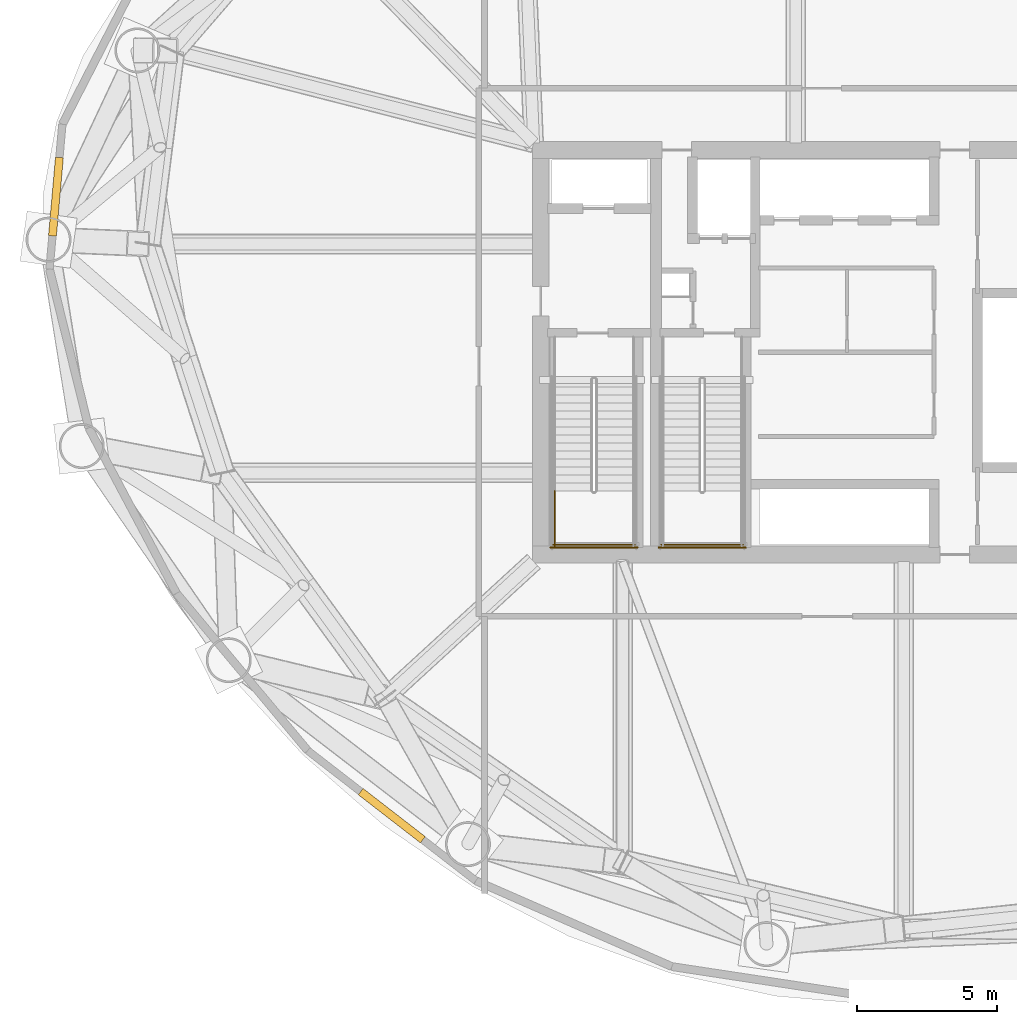
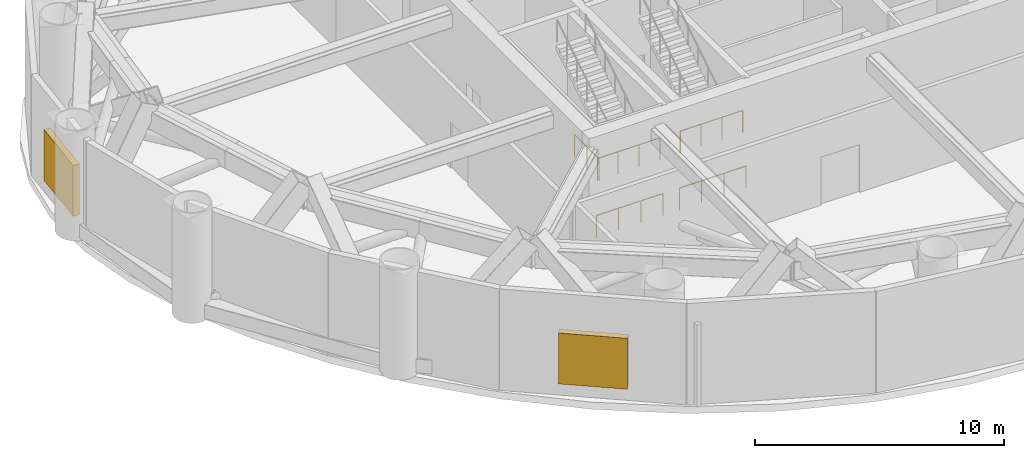
# One storey, part 10 of 13: 5 railings, 2 shading devices.
"""IFC4 building model written with IfcOpenShell, lengths in metres."""

from ifc_helpers import new_model, si_unit, direction, frame, origin, origin_2d, place, context, subcontext, project, spatial, rectangle, circle, extrude, material, type_object, element, save


model = new_model("IFC4")

# Units and contexts
model_context = context("Model", 3, precision=1e-05, world=origin(), true_north=direction((0.0, 1.0)))
body_context = subcontext(model_context, "Body", "Model", "MODEL_VIEW")
ifc_project = project(units=[si_unit("LENGTHUNIT", "METRE"), si_unit("AREAUNIT", "SQUARE_METRE"), si_unit("VOLUMEUNIT", "CUBIC_METRE"), si_unit("PLANEANGLEUNIT", "RADIAN"), si_unit("MASSUNIT", "GRAM", prefix="KILO")], contexts=[model_context])

# Site, building, storey
site_placement = place(None, origin())
site = spatial("IfcSite", under=ifc_project, at=site_placement, CompositionType="ELEMENT")
building_placement = place(site_placement, origin())
building = spatial("IfcBuilding", under=site, at=building_placement, Name="Bramvorn Convention Spire", CompositionType="ELEMENT")
storey_placement = place(building_placement, frame((0.0, 0.0, 97.39990234375)))
storey = spatial("IfcBuildingStorey", under=building, at=storey_placement, Name="L23", CompositionType="ELEMENT", Elevation=97.39990234375)

# Railings
ifc_material_1 = material(Name="Painted Steel Balustrade & Guardrail", Category="steel")
railing_type = type_object("IfcRailingType", Name="RL-STAIR-GUARD-1100", PredefinedType="GUARDRAIL", material=ifc_material_1)
railing_1_placement = place(storey_placement, frame((27.5, 21.06005859375, 2.7001953125)))
element("IfcRailing", 1, at=railing_1_placement, inside=storey, type_object=railing_type, Name="L23 ST1 stair guard 3", PredefinedType="GUARDRAIL", context=body_context, shape_type="SweptSolid", body=[
    extrude(circle(Radius=0.02392578125, at=origin_2d()), frame((0.0, 0.0, 1.076171875), z_axis=(0.0, -1.0, 0.0), x_axis=(1.0, 0.0, 0.0)), (0.0, 0.0, 1.0), 1.9599609375),
    extrude(circle(Radius=0.02099609375, at=origin_2d()), origin(), (0.0, 0.0, 1.0), 1.052001953125),
    extrude(circle(Radius=0.02099609375, at=origin_2d()), frame((0.0, -0.97998046875, 0.0)), (0.0, 0.0, 1.0), 1.052001953125),
    extrude(circle(Radius=0.02099609375, at=origin_2d()), frame((0.0, -1.9599609375, 0.0)), (0.0, 0.0, 1.0), 1.052001953125),
])
railing_2_placement = place(storey_placement, frame((27.449951171875, 19.14990234375, 2.7001953125)))
element("IfcRailing", 2, at=railing_2_placement, inside=storey, type_object=railing_type, Name="L23 ST1 stair guard 5", PredefinedType="GUARDRAIL", context=body_context, shape_type="SweptSolid", body=[
    extrude(circle(Radius=0.02392578125, at=origin_2d()), frame((0.0, 0.0, 1.076171875), z_axis=(1.0, 0.0, 0.0), x_axis=(0.0, 1.0, 0.0)), (0.0, 0.0, 1.0), 2.900146484375),
    extrude(circle(Radius=0.02099609375, at=origin_2d()), origin(), (0.0, 0.0, 1.0), 1.052001953125),
    extrude(circle(Radius=0.02099609375, at=origin_2d()), frame((0.966796875, 0.0, 0.0)), (0.0, 0.0, 1.0), 1.052001953125),
    extrude(circle(Radius=0.02099609375, at=origin_2d()), frame((1.933349609375, 0.0, 0.0)), (0.0, 0.0, 1.0), 1.052001953125),
    extrude(circle(Radius=0.02099609375, at=origin_2d()), frame((2.900146484375, 0.0, 0.0)), (0.0, 0.0, 1.0), 1.052001953125),
])
railing_3_placement = place(storey_placement, frame((27.35009765625, 19.050048828125, 0.0)))
element("IfcRailing", 3, at=railing_3_placement, inside=storey, type_object=railing_type, Name="L23 ST1 stair guard 12", PredefinedType="GUARDRAIL", context=body_context, shape_type="SweptSolid", body=[
    extrude(circle(Radius=0.02392578125, at=origin_2d()), frame((0.0, 0.0, 1.076171875), z_axis=(1.0, 0.0, 0.0), x_axis=(0.0, 1.0, 0.0)), (0.0, 0.0, 1.0), 3.099853515625),
    extrude(circle(Radius=0.02099609375, at=origin_2d()), origin(), (0.0, 0.0, 1.0), 1.052001953125),
    extrude(circle(Radius=0.02099609375, at=origin_2d()), frame((1.033203125, 0.0, 0.0)), (0.0, 0.0, 1.0), 1.052001953125),
    extrude(circle(Radius=0.02099609375, at=origin_2d()), frame((2.066650390625, 0.0, 0.0)), (0.0, 0.0, 1.0), 1.052001953125),
    extrude(circle(Radius=0.02099609375, at=origin_2d()), frame((3.099853515625, 0.0, 0.0)), (0.0, 0.0, 1.0), 1.052001953125),
])
railing_4_placement = place(storey_placement, frame((31.300048828125, 19.14990234375, 2.7001953125)))
element("IfcRailing", 4, at=railing_4_placement, inside=storey, type_object=railing_type, Name="L23 ST3 stair guard 5", PredefinedType="GUARDRAIL", context=body_context, shape_type="SweptSolid", body=[
    extrude(circle(Radius=0.02392578125, at=origin_2d()), frame((0.0, 0.0, 1.076171875), z_axis=(1.0, 0.0, 0.0), x_axis=(0.0, 1.0, 0.0)), (0.0, 0.0, 1.0), 2.89990234375),
    extrude(circle(Radius=0.02099609375, at=origin_2d()), origin(), (0.0, 0.0, 1.0), 1.052001953125),
    extrude(circle(Radius=0.02099609375, at=origin_2d()), frame((0.966552734375, 0.0, 0.0)), (0.0, 0.0, 1.0), 1.052001953125),
    extrude(circle(Radius=0.02099609375, at=origin_2d()), frame((1.933349609375, 0.0, 0.0)), (0.0, 0.0, 1.0), 1.052001953125),
    extrude(circle(Radius=0.02099609375, at=origin_2d()), frame((2.89990234375, 0.0, 0.0)), (0.0, 0.0, 1.0), 1.052001953125),
])
railing_5_placement = place(storey_placement, frame((31.199951171875, 19.050048828125, 0.0)))
element("IfcRailing", 5, at=railing_5_placement, inside=storey, type_object=railing_type, Name="L23 ST3 stair guard 12", PredefinedType="GUARDRAIL", context=body_context, shape_type="SweptSolid", body=[
    extrude(circle(Radius=0.02392578125, at=origin_2d()), frame((0.0, 0.0, 1.076171875), z_axis=(1.0, 0.0, 0.0), x_axis=(0.0, 1.0, 0.0)), (0.0, 0.0, 1.0), 3.10009765625),
    extrude(circle(Radius=0.02099609375, at=origin_2d()), origin(), (0.0, 0.0, 1.0), 1.052001953125),
    extrude(circle(Radius=0.02099609375, at=origin_2d()), frame((1.033447265625, 0.0, 0.0)), (0.0, 0.0, 1.0), 1.052001953125),
    extrude(circle(Radius=0.02099609375, at=origin_2d()), frame((2.066650390625, 0.0, 0.0)), (0.0, 0.0, 1.0), 1.052001953125),
    extrude(circle(Radius=0.02099609375, at=origin_2d()), frame((3.10009765625, 0.0, 0.0)), (0.0, 0.0, 1.0), 1.052001953125),
])

# Shading devices
ifc_material_2 = material(Name="Acoustic Storm-Proof Anodised Bronze Aluminium Louvre", Category="aluminium")
shading_device_type = type_object("IfcShadingDeviceType", Name="SHD-LOUVRE-PLANT", PredefinedType="JALOUSIE", material=ifc_material_2)
for number, where, z_axis, x_axis, name in (
    (6, (9.742919921875, 31.53955078125, 0.550048828125), (0.0, 0.0, 1.0), (0.088397471442, 0.996085281009, 0.0), "L23 plant intake/exhaust acoustic louvre 13"),
    (7, (21.697265625, 9.50439453125, 0.550048828125), (0.0, 0.0, 1.0), (-0.79068987419, 0.612216892002, 0.0), "L23 plant intake/exhaust acoustic louvre 17"),
):
    element("IfcShadingDevice", number, at=place(storey_placement, frame(where, z_axis=z_axis, x_axis=x_axis)), inside=storey, type_object=shading_device_type, Name=name, PredefinedType="JALOUSIE", context=body_context, shape_type="SweptSolid", body=[
        extrude(rectangle(XDim=2.800048828125, YDim=0.280029296875, at=origin_2d()), origin(), (0.0, 0.0, 1.0), 2.5),
    ])

save(model, "model.ifc")
